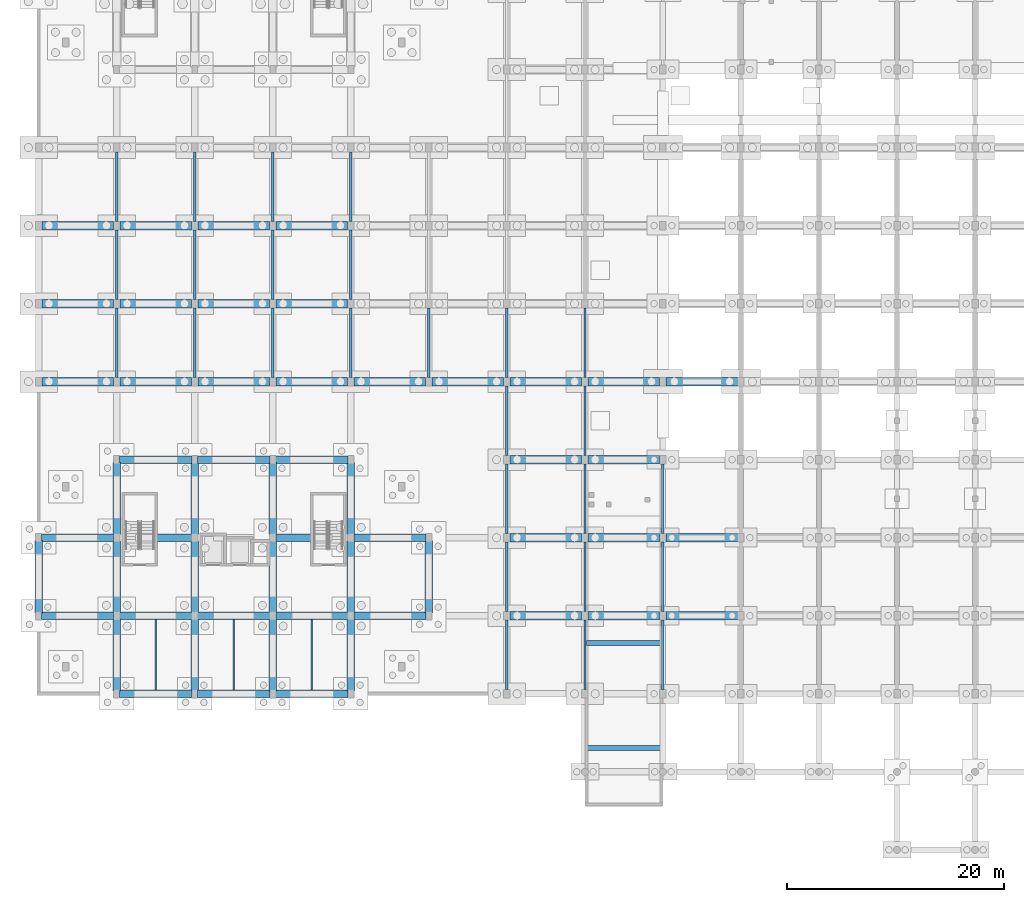
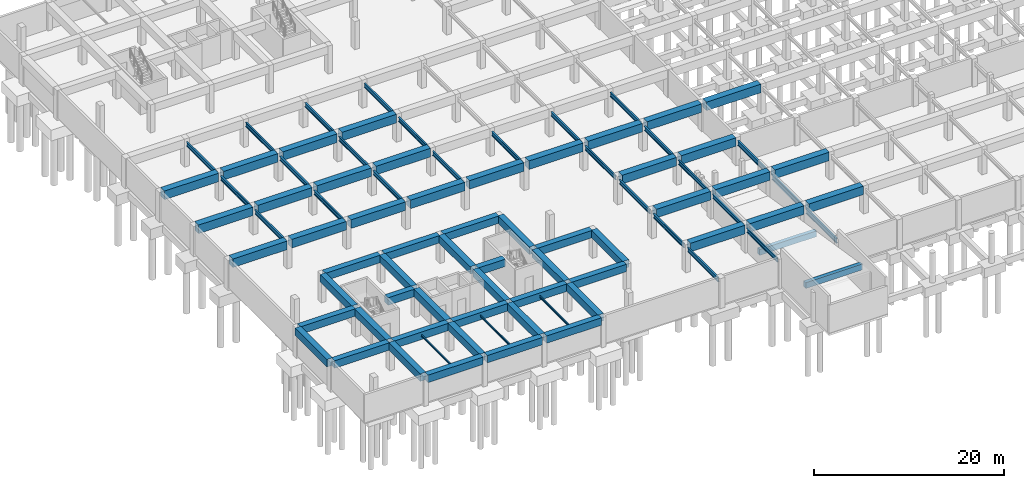
# One storey, part 18 of 36: 85 beams.
"""IFC4 building model written with IfcOpenShell, lengths in metres."""

import ifcopenshell
import ifcopenshell.guid

model = None  # the IFC model being written
_history = None  # IfcOwnerHistory: only IFC2X3 demands one
_inside = {}  # id of a spatial element -> (the spatial element, [elements in it])
_under = {}  # id of a project, library or spatial element -> (it, [spatial elements below it])
_declared = {}  # id of a project -> (the project, [libraries it declares])
_typed = {}  # id of a type object -> (the type object, [elements of that type])
_made_of = {}  # id of a material, layer set ... -> (it, [elements and type objects made of it])


def new_model(schema):
    """Start an empty IFC model of exactly this schema.

    Asked for "IFC4X3", IfcOpenShell would pick the latest addendum, in which some entities
    have other attributes; the version numbers below select the first issue.
    IFC2X3 requires an IfcOwnerHistory on every rooted entity: one is made here for all.
    """
    global model, _history
    if schema == "IFC4X3":
        model = ifcopenshell.file(schema_version=(4, 3, 0, 0))
    else:
        model = ifcopenshell.file(schema=schema)
    _inside.clear()
    _under.clear()
    _declared.clear()
    _typed.clear()
    _made_of.clear()
    _history = None
    if model.schema == "IFC2X3":
        org = make("IfcOrganization", Name="unknown")
        user = make(
            "IfcPersonAndOrganization",
            ThePerson=make("IfcPerson", FamilyName="unknown"),
            TheOrganization=org,
        )
        app = make(
            "IfcApplication",
            ApplicationDeveloper=org,
            Version="unknown",
            ApplicationFullName="unknown",
            ApplicationIdentifier="unknown",
        )
        _history = make(
            "IfcOwnerHistory",
            OwningUser=user,
            OwningApplication=app,
            ChangeAction="ADDED",
            CreationDate=0,
        )
    return model


def make(cls, **values):
    """One entity of the class cls with the attributes given. An attribute that is None is left unset."""
    return model.create_entity(
        cls, **{name: value for name, value in values.items() if value is not None}
    )


def rooted(cls, **values):
    """An entity with a GlobalId (a new one), such as an element, a storey or a relation."""
    return make(cls, GlobalId=ifcopenshell.guid.new(), OwnerHistory=_history, **values)


def si_unit(unit_type, name, prefix=None):
    """IfcSIUnit, for example si_unit("LENGTHUNIT", "METRE", prefix="MILLI")."""
    return make("IfcSIUnit", UnitType=unit_type, Prefix=prefix, Name=name)


def assignment(units):
    """IfcUnitAssignment: the units of a project."""
    return None if units is None else make("IfcUnitAssignment", Units=units)


def point(xyz):
    """IfcCartesianPoint."""
    return None if xyz is None else make("IfcCartesianPoint", Coordinates=xyz)


def direction(xyz):
    """IfcDirection."""
    return None if xyz is None else make("IfcDirection", DirectionRatios=xyz)


def frame(location, z_axis=None, x_axis=None):
    """IfcAxis2Placement3D, a coordinate frame: its origin and axes. An axis left out is left unset."""
    return make(
        "IfcAxis2Placement3D",
        Location=point(location),
        Axis=direction(z_axis),
        RefDirection=direction(x_axis),
    )


def frame_2d(location, x_axis=None):
    """IfcAxis2Placement2D, a coordinate frame in the plane: its origin and x axis."""
    return make(
        "IfcAxis2Placement2D", Location=point(location), RefDirection=direction(x_axis)
    )


def origin():
    """The frame at (0, 0, 0) with its axes left unset."""
    return frame((0.0, 0.0, 0.0))


def origin_2d():
    """The frame at (0, 0) in the plane with its x axis left unset."""
    return frame_2d((0.0, 0.0))


def place(relative_to, where):
    """IfcLocalPlacement: puts the frame where relative to a parent placement (None: the world)."""
    return make(
        "IfcLocalPlacement", PlacementRelTo=relative_to, RelativePlacement=where
    )


def context(
    kind, dimensions, precision=None, world=None, true_north=None, identifier=None
):
    """IfcGeometricRepresentationContext, for example the 3D "Model" context."""
    return make(
        "IfcGeometricRepresentationContext",
        ContextIdentifier=identifier,
        ContextType=kind,
        CoordinateSpaceDimension=dimensions,
        Precision=precision,
        WorldCoordinateSystem=world,
        TrueNorth=true_north,
    )


def subcontext(parent, identifier, kind, view, scale=None):
    """IfcGeometricRepresentationSubContext, for example "Body" below "Model"."""
    return make(
        "IfcGeometricRepresentationSubContext",
        ContextIdentifier=identifier,
        ContextType=kind,
        ParentContext=parent,
        TargetScale=scale,
        TargetView=view,
    )


def project(units=None, contexts=None):
    """IfcProject with its units and contexts."""
    return rooted(
        "IfcProject",
        Name="project",
        RepresentationContexts=contexts,
        UnitsInContext=assignment(units),
    )


def spatial(cls, under=None, at=None, **own):
    """A site, building, storey or space (cls), placed at a placement, below another one or the project."""
    s = rooted(cls, ObjectPlacement=at, **own)
    if under is not None:
        _under.setdefault(under.id(), (under, []))[1].append(s)
    return s


def profile(cls, at=None, kind="AREA", **sizes):
    """A parametric profile (cls). Its sizes go by their IFC names, for example OverallWidth=200.0."""
    return make(cls, ProfileType=kind, Position=at, **sizes)


def rectangle(**sizes):
    """IfcRectangleProfileDef."""
    return profile("IfcRectangleProfileDef", **sizes)


def i_section(**sizes):
    """IfcIShapeProfileDef."""
    return profile("IfcIShapeProfileDef", **sizes)


def extrude(swept, where, along, depth):
    """IfcExtrudedAreaSolid: the profile swept, set in the frame where, extruded along a direction by depth."""
    return make(
        "IfcExtrudedAreaSolid",
        SweptArea=swept,
        Position=where,
        ExtrudedDirection=direction(along),
        Depth=depth,
    )


def shape(context_of_items, identifier, shape_type, items):
    """IfcShapeRepresentation: the items that make up one representation, for example the "Body"."""
    return make(
        "IfcShapeRepresentation",
        ContextOfItems=context_of_items,
        RepresentationIdentifier=identifier,
        RepresentationType=shape_type,
        Items=items,
    )


def material(Name=None, Category=None):
    """IfcMaterial."""
    return make("IfcMaterial", Name=Name, Category=Category)


def material_profile(
    of_material, cross_section, Name=None, Category=None, Priority=None
):
    """IfcMaterialProfile: a cross section and its material."""
    return make(
        "IfcMaterialProfile",
        Name=Name,
        Material=of_material,
        Profile=cross_section,
        Priority=Priority,
        Category=Category,
    )


def profile_set(profiles, Name=None, composite=None):
    """IfcMaterialProfileSet."""
    return make(
        "IfcMaterialProfileSet",
        Name=Name,
        MaterialProfiles=profiles,
        CompositeProfile=composite,
    )


def made_of(thing, what):
    """Note that an element or type object is made of a material, layer set ...; save() writes the relation."""
    if what is not None:
        _made_of.setdefault(what.id(), (what, []))[1].append(thing)
    return thing


def type_object(cls, material=None, **own):
    """A type object (cls), such as IfcWallType, which elements share."""
    return made_of(rooted(cls, **own), material)


def element(
    cls,
    number,
    at=None,
    inside=None,
    cuts=None,
    type_object=None,
    material=None,
    context=None,
    identifier="Body",
    shape_type=None,
    held_by="IfcProductDefinitionShape",
    body=None,
    shapes=None,
    **own,
):
    """One element of the class cls, such as IfcWall. Its Tag is "e" and its number.

    at: its placement. inside: the storey or other place that contains it. cuts: it is an
    opening in that element (IfcRelVoidsElement). A single representation is given by context,
    identifier, shape_type and body (its items); several are given by shapes. held_by: the class
    of the entity that holds the representations. save() writes the other relations.
    """
    e = rooted(cls, Tag="e%d" % number, ObjectPlacement=at, **own)
    if body is not None:
        shapes = [shape(context, identifier, shape_type, body)]
    if shapes is not None:
        e.Representation = make(held_by, Representations=shapes)
    if inside is not None:
        _inside.setdefault(inside.id(), (inside, []))[1].append(e)
    if cuts is not None:
        rooted(
            "IfcRelVoidsElement", RelatingBuildingElement=cuts, RelatedOpeningElement=e
        )
    if type_object is not None:
        _typed.setdefault(type_object.id(), (type_object, []))[1].append(e)
    return made_of(e, material)


def aggregate(whole, parts):
    """IfcRelAggregates: a whole, such as a stair, and the parts it consists of."""
    return rooted("IfcRelAggregates", RelatingObject=whole, RelatedObjects=parts)


def save(model, path):
    """Write the relations noted so far, then the file.

    IfcRelAggregates (storeys below a building ...), IfcRelContainedInSpatialStructure (elements
    in a storey), IfcRelDefinesByType, IfcRelAssociatesMaterial and IfcRelDeclares: one each for
    every whole, place, type object, material and project.
    """
    for whole, parts in _under.values():
        aggregate(whole, parts)
    for where, things in _inside.values():
        rooted(
            "IfcRelContainedInSpatialStructure",
            RelatedElements=things,
            RelatingStructure=where,
        )
    for kind, things in _typed.values():
        rooted("IfcRelDefinesByType", RelatedObjects=things, RelatingType=kind)
    for what, things in _made_of.values():
        rooted("IfcRelAssociatesMaterial", RelatedObjects=things, RelatingMaterial=what)
    for by, libraries in _declared.values():
        rooted("IfcRelDeclares", RelatingContext=by, RelatedDefinitions=libraries)
    model.write(path)


model = new_model("IFC4")

# Units and contexts
model_context = context("Model", 3, precision=1e-05, world=origin(), true_north=direction((0.0, 1.0)))
body_context = subcontext(model_context, "Body", "Model", "MODEL_VIEW")
ifc_project = project(units=[si_unit("LENGTHUNIT", "METRE"), si_unit("AREAUNIT", "SQUARE_METRE"), si_unit("VOLUMEUNIT", "CUBIC_METRE"), si_unit("PLANEANGLEUNIT", "RADIAN"), si_unit("MASSUNIT", "GRAM", prefix="KILO")], contexts=[model_context])

# Site, building, storey
site_placement = place(None, origin())
site = spatial("IfcSite", under=ifc_project, at=site_placement, CompositionType="ELEMENT")
building_placement = place(site_placement, origin())
building = spatial("IfcBuilding", under=site, at=building_placement, Name="Ochrevale Crest", CompositionType="ELEMENT")
storey_placement = place(building_placement, frame((0.0, 0.0, -3.60009765625)))
storey = spatial("IfcBuildingStorey", under=building, at=storey_placement, Name="B1", CompositionType="ELEMENT", Elevation=-3.60009765625)

# Beams
ifc_material_1 = material(Name="Concrete C50/60", Category="concrete")
ifc_material_profile_1 = material_profile(ifc_material_1, rectangle(XDim=0.449951171875, YDim=0.75, at=origin_2d()), Name="RC 450x750")
ifc_profile_set_1 = profile_set([ifc_material_profile_1], Name="Concrete C50/60")
beam_type_1 = type_object("IfcBeamType", Name="BM-PG450x750", PredefinedType="USERDEFINED", material=ifc_profile_set_1)
for number, where, z_axis, x_axis, name in (
    (1, (50.550048828125, 19.10009765625, 1.35009765625), (1.0, 0.0, 0.0), (0.0, 1.0, 0.0), "Vehicle ramp mid-span support beam"),
    (2, (50.550048828125, 9.39990234375, 2.97509765625), (1.0, 0.0, 0.0), (0.0, 1.0, 0.0), "Vehicle ramp upper transition support beam"),
):
    element("IfcBeam", number, at=place(storey_placement, frame(where, z_axis=z_axis, x_axis=x_axis)), inside=storey, type_object=beam_type_1, Name=name, ObjectType="GIRDER", PredefinedType="USERDEFINED", context=body_context, shape_type="SweptSolid", body=[
        extrude(rectangle(XDim=0.449951171875, YDim=0.75, at=origin_2d()), origin(), (0.0, 0.0, 1.0), 6.89990234375),
    ])
ifc_material_profile_2 = material_profile(ifc_material_1, rectangle(XDim=0.699951171875, YDim=0.949951171875, at=origin_2d()), Name="RC 700x950")
ifc_profile_set_2 = profile_set([ifc_material_profile_2], Name="Concrete C50/60")
beam_type_2 = type_object("IfcBeamType", Name="BM-TG700x950", PredefinedType="USERDEFINED", material=ifc_profile_set_2)
beam_1_placement = place(storey_placement, frame((7.449951171875, 14.39990234375, 3.125), z_axis=(1.0, 0.0, 0.0), x_axis=(0.0, 1.0, 0.0)))
element("IfcBeam", 3, at=beam_1_placement, inside=storey, type_object=beam_type_2, Name="Block A B1 E-W beam Y=14.4", ObjectType="GIRDER", PredefinedType="USERDEFINED", context=body_context, shape_type="SweptSolid", body=[
    extrude(rectangle(XDim=0.699951171875, YDim=0.949951171875, at=origin_2d()), origin(), (0.0, 0.0, 1.0), 6.699951171875),
])
beam_2_placement = place(storey_placement, frame((14.64990234375, 14.39990234375, 3.125), z_axis=(1.0, 0.0, 0.0), x_axis=(0.0, 1.0, 0.0)))
element("IfcBeam", 4, at=beam_2_placement, inside=storey, type_object=beam_type_2, Name="Block A B1 E-W beam Y=14.4", ObjectType="GIRDER", PredefinedType="USERDEFINED", context=body_context, shape_type="SweptSolid", body=[
    extrude(rectangle(XDim=0.699951171875, YDim=0.949951171875, at=origin_2d()), origin(), (0.0, 0.0, 1.0), 6.7001953125),
])
beam_3_placement = place(storey_placement, frame((21.85009765625, 14.39990234375, 3.125), z_axis=(1.0, 0.0, 0.0), x_axis=(0.0, 1.0, 0.0)))
element("IfcBeam", 5, at=beam_3_placement, inside=storey, type_object=beam_type_2, Name="Block A B1 E-W beam Y=14.4", ObjectType="GIRDER", PredefinedType="USERDEFINED", context=body_context, shape_type="SweptSolid", body=[
    extrude(rectangle(XDim=0.699951171875, YDim=0.949951171875, at=origin_2d()), origin(), (0.0, 0.0, 1.0), 6.699951171875),
])
beam_4_placement = place(storey_placement, frame((0.25, 21.60009765625, 3.125), z_axis=(1.0, 0.0, 0.0), x_axis=(0.0, 1.0, 0.0)))
element("IfcBeam", 6, at=beam_4_placement, inside=storey, type_object=beam_type_2, Name="Block A B1 E-W beam Y=21.6", ObjectType="GIRDER", PredefinedType="USERDEFINED", context=body_context, shape_type="SweptSolid", body=[
    extrude(rectangle(XDim=0.699951171875, YDim=0.949951171875, at=origin_2d()), origin(), (0.0, 0.0, 1.0), 6.675048828125),
])
for number, where, z_axis, x_axis, name in (
    (7, (7.47509765625, 21.60009765625, 3.125), (1.0, 0.0, 0.0), (0.0, 1.0, 0.0), "Block A B1 E-W beam Y=21.6"),
    (8, (14.675048828125, 21.60009765625, 3.125), (1.0, 0.0, 0.0), (0.0, 1.0, 0.0), "Block A B1 E-W beam Y=21.6"),
    (9, (21.875, 21.60009765625, 3.125), (1.0, 0.0, 0.0), (0.0, 1.0, 0.0), "Block A B1 E-W beam Y=21.6"),
):
    element("IfcBeam", number, at=place(storey_placement, frame(where, z_axis=z_axis, x_axis=x_axis)), inside=storey, type_object=beam_type_2, Name=name, ObjectType="GIRDER", PredefinedType="USERDEFINED", context=body_context, shape_type="SweptSolid", body=[
        extrude(rectangle(XDim=0.699951171875, YDim=0.949951171875, at=origin_2d()), origin(), (0.0, 0.0, 1.0), 6.64990234375),
    ])
for number, where, z_axis, x_axis, name in (
    (10, (29.074951171875, 21.60009765625, 3.125), (1.0, 0.0, 0.0), (0.0, 1.0, 0.0), "Block A B1 E-W beam Y=21.6"),
    (11, (0.25, 28.800048828125, 3.125), (1.0, 0.0, 0.0), (0.0, 1.0, 0.0), "Block A B1 E-W beam Y=28.8"),
):
    element("IfcBeam", number, at=place(storey_placement, frame(where, z_axis=z_axis, x_axis=x_axis)), inside=storey, type_object=beam_type_2, Name=name, ObjectType="GIRDER", PredefinedType="USERDEFINED", context=body_context, shape_type="SweptSolid", body=[
        extrude(rectangle(XDim=0.699951171875, YDim=0.949951171875, at=origin_2d()), origin(), (0.0, 0.0, 1.0), 6.675048828125),
    ])
beam_5_placement = place(storey_placement, frame((10.889892578125, 28.800048828125, 3.125), z_axis=(1.0, 0.0, 0.0), x_axis=(0.0, 1.0, 0.0)))
element("IfcBeam", 12, at=beam_5_placement, inside=storey, type_object=beam_type_2, Name="Block A B1 E-W beam Y=28.8", ObjectType="GIRDER", PredefinedType="USERDEFINED", context=body_context, shape_type="SweptSolid", body=[
    extrude(rectangle(XDim=0.699951171875, YDim=0.949951171875, at=origin_2d()), origin(), (0.0, 0.0, 1.0), 3.235107421875),
])
beam_6_placement = place(storey_placement, frame((21.875, 28.800048828125, 3.125), z_axis=(1.0, 0.0, 0.0), x_axis=(0.0, 1.0, 0.0)))
element("IfcBeam", 13, at=beam_6_placement, inside=storey, type_object=beam_type_2, Name="Block A B1 E-W beam Y=28.8", ObjectType="GIRDER", PredefinedType="USERDEFINED", context=body_context, shape_type="SweptSolid", body=[
    extrude(rectangle(XDim=0.699951171875, YDim=0.949951171875, at=origin_2d()), origin(), (0.0, 0.0, 1.0), 3.284912109375),
])
beam_7_placement = place(storey_placement, frame((29.074951171875, 28.800048828125, 3.125), z_axis=(1.0, 0.0, 0.0), x_axis=(0.0, 1.0, 0.0)))
element("IfcBeam", 14, at=beam_7_placement, inside=storey, type_object=beam_type_2, Name="Block A B1 E-W beam Y=28.8", ObjectType="GIRDER", PredefinedType="USERDEFINED", context=body_context, shape_type="SweptSolid", body=[
    extrude(rectangle(XDim=0.699951171875, YDim=0.949951171875, at=origin_2d()), origin(), (0.0, 0.0, 1.0), 6.675048828125),
])
beam_8_placement = place(storey_placement, frame((7.449951171875, 36.0, 3.125), z_axis=(1.0, 0.0, 0.0), x_axis=(0.0, 1.0, 0.0)))
element("IfcBeam", 15, at=beam_8_placement, inside=storey, type_object=beam_type_2, Name="Block A B1 E-W beam Y=36.0", ObjectType="GIRDER", PredefinedType="USERDEFINED", context=body_context, shape_type="SweptSolid", body=[
    extrude(rectangle(XDim=0.699951171875, YDim=0.949951171875, at=origin_2d()), origin(), (0.0, 0.0, 1.0), 6.699951171875),
])
beam_9_placement = place(storey_placement, frame((14.64990234375, 36.0, 3.125), z_axis=(1.0, 0.0, 0.0), x_axis=(0.0, 1.0, 0.0)))
element("IfcBeam", 16, at=beam_9_placement, inside=storey, type_object=beam_type_2, Name="Block A B1 E-W beam Y=36.0", ObjectType="GIRDER", PredefinedType="USERDEFINED", context=body_context, shape_type="SweptSolid", body=[
    extrude(rectangle(XDim=0.699951171875, YDim=0.949951171875, at=origin_2d()), origin(), (0.0, 0.0, 1.0), 6.7001953125),
])
beam_10_placement = place(storey_placement, frame((21.85009765625, 36.0, 3.125), z_axis=(1.0, 0.0, 0.0), x_axis=(0.0, 1.0, 0.0)))
element("IfcBeam", 17, at=beam_10_placement, inside=storey, type_object=beam_type_2, Name="Block A B1 E-W beam Y=36.0", ObjectType="GIRDER", PredefinedType="USERDEFINED", context=body_context, shape_type="SweptSolid", body=[
    extrude(rectangle(XDim=0.699951171875, YDim=0.949951171875, at=origin_2d()), origin(), (0.0, 0.0, 1.0), 6.699951171875),
])
beam_11_placement = place(storey_placement, frame((0.0, 21.85498046875, 3.125), z_axis=(0.0, 1.0, 0.0), x_axis=(-1.0, 0.0, 0.0)))
element("IfcBeam", 18, at=beam_11_placement, inside=storey, type_object=beam_type_2, Name="Block A B1 N-S beam X=0.0", ObjectType="GIRDER", PredefinedType="USERDEFINED", context=body_context, shape_type="SweptSolid", body=[
    extrude(rectangle(XDim=0.699951171875, YDim=0.949951171875, at=origin_2d()), origin(), (0.0, 0.0, 1.0), 6.68994140625),
])
beam_12_placement = place(storey_placement, frame((7.199951171875, 14.655029296875, 3.125), z_axis=(0.0, 1.0, 0.0), x_axis=(-1.0, 0.0, 0.0)))
element("IfcBeam", 19, at=beam_12_placement, inside=storey, type_object=beam_type_2, Name="Block A B1 N-S beam X=7.2", ObjectType="GIRDER", PredefinedType="USERDEFINED", context=body_context, shape_type="SweptSolid", body=[
    extrude(rectangle(XDim=0.699951171875, YDim=0.949951171875, at=origin_2d()), origin(), (0.0, 0.0, 1.0), 6.6650390625),
])
beam_13_placement = place(storey_placement, frame((7.199951171875, 21.8798828125, 3.125), z_axis=(0.0, 1.0, 0.0), x_axis=(-1.0, 0.0, 0.0)))
element("IfcBeam", 20, at=beam_13_placement, inside=storey, type_object=beam_type_2, Name="Block A B1 N-S beam X=7.2", ObjectType="GIRDER", PredefinedType="USERDEFINED", context=body_context, shape_type="SweptSolid", body=[
    extrude(rectangle(XDim=0.699951171875, YDim=0.949951171875, at=origin_2d()), origin(), (0.0, 0.0, 1.0), 6.64013671875),
])
for number, where, z_axis, x_axis, name in (
    (21, (7.199951171875, 29.080078125, 3.125), (0.0, 1.0, 0.0), (-1.0, 0.0, 0.0), "Block A B1 N-S beam X=7.2"),
    (22, (14.39990234375, 14.655029296875, 3.125), (0.0, 1.0, 0.0), (-1.0, 0.0, 0.0), "Block A B1 N-S beam X=14.4"),
):
    element("IfcBeam", number, at=place(storey_placement, frame(where, z_axis=z_axis, x_axis=x_axis)), inside=storey, type_object=beam_type_2, Name=name, ObjectType="GIRDER", PredefinedType="USERDEFINED", context=body_context, shape_type="SweptSolid", body=[
        extrude(rectangle(XDim=0.699951171875, YDim=0.949951171875, at=origin_2d()), origin(), (0.0, 0.0, 1.0), 6.6650390625),
    ])
beam_14_placement = place(storey_placement, frame((14.39990234375, 21.8798828125, 3.125), z_axis=(0.0, 1.0, 0.0), x_axis=(-1.0, 0.0, 0.0)))
element("IfcBeam", 23, at=beam_14_placement, inside=storey, type_object=beam_type_2, Name="Block A B1 N-S beam X=14.4", ObjectType="GIRDER", PredefinedType="USERDEFINED", context=body_context, shape_type="SweptSolid", body=[
    extrude(rectangle(XDim=0.699951171875, YDim=0.949951171875, at=origin_2d()), origin(), (0.0, 0.0, 1.0), 6.64013671875),
])
for number, where, z_axis, x_axis, name in (
    (24, (14.39990234375, 29.080078125, 3.125), (0.0, 1.0, 0.0), (-1.0, 0.0, 0.0), "Block A B1 N-S beam X=14.4"),
    (25, (21.60009765625, 14.655029296875, 3.125), (0.0, 1.0, 0.0), (-1.0, 0.0, 0.0), "Block A B1 N-S beam X=21.6"),
):
    element("IfcBeam", number, at=place(storey_placement, frame(where, z_axis=z_axis, x_axis=x_axis)), inside=storey, type_object=beam_type_2, Name=name, ObjectType="GIRDER", PredefinedType="USERDEFINED", context=body_context, shape_type="SweptSolid", body=[
        extrude(rectangle(XDim=0.699951171875, YDim=0.949951171875, at=origin_2d()), origin(), (0.0, 0.0, 1.0), 6.6650390625),
    ])
beam_15_placement = place(storey_placement, frame((21.60009765625, 21.8798828125, 3.125), z_axis=(0.0, 1.0, 0.0), x_axis=(-1.0, 0.0, 0.0)))
element("IfcBeam", 26, at=beam_15_placement, inside=storey, type_object=beam_type_2, Name="Block A B1 N-S beam X=21.6", ObjectType="GIRDER", PredefinedType="USERDEFINED", context=body_context, shape_type="SweptSolid", body=[
    extrude(rectangle(XDim=0.699951171875, YDim=0.949951171875, at=origin_2d()), origin(), (0.0, 0.0, 1.0), 6.64013671875),
])
for number, where, z_axis, x_axis, name in (
    (27, (21.60009765625, 29.080078125, 3.125), (0.0, 1.0, 0.0), (-1.0, 0.0, 0.0), "Block A B1 N-S beam X=21.6"),
    (28, (28.800048828125, 14.655029296875, 3.125), (0.0, 1.0, 0.0), (-1.0, 0.0, 0.0), "Block A B1 N-S beam X=28.8"),
):
    element("IfcBeam", number, at=place(storey_placement, frame(where, z_axis=z_axis, x_axis=x_axis)), inside=storey, type_object=beam_type_2, Name=name, ObjectType="GIRDER", PredefinedType="USERDEFINED", context=body_context, shape_type="SweptSolid", body=[
        extrude(rectangle(XDim=0.699951171875, YDim=0.949951171875, at=origin_2d()), origin(), (0.0, 0.0, 1.0), 6.6650390625),
    ])
beam_16_placement = place(storey_placement, frame((28.800048828125, 21.8798828125, 3.125), z_axis=(0.0, 1.0, 0.0), x_axis=(-1.0, 0.0, 0.0)))
element("IfcBeam", 29, at=beam_16_placement, inside=storey, type_object=beam_type_2, Name="Block A B1 N-S beam X=28.8", ObjectType="GIRDER", PredefinedType="USERDEFINED", context=body_context, shape_type="SweptSolid", body=[
    extrude(rectangle(XDim=0.699951171875, YDim=0.949951171875, at=origin_2d()), origin(), (0.0, 0.0, 1.0), 6.64013671875),
])
beam_17_placement = place(storey_placement, frame((28.800048828125, 29.080078125, 3.125), z_axis=(0.0, 1.0, 0.0), x_axis=(-1.0, 0.0, 0.0)))
element("IfcBeam", 30, at=beam_17_placement, inside=storey, type_object=beam_type_2, Name="Block A B1 N-S beam X=28.8", ObjectType="GIRDER", PredefinedType="USERDEFINED", context=body_context, shape_type="SweptSolid", body=[
    extrude(rectangle(XDim=0.699951171875, YDim=0.949951171875, at=origin_2d()), origin(), (0.0, 0.0, 1.0), 6.6650390625),
])
beam_18_placement = place(storey_placement, frame((36.0, 21.85498046875, 3.125), z_axis=(0.0, 1.0, 0.0), x_axis=(-1.0, 0.0, 0.0)))
element("IfcBeam", 31, at=beam_18_placement, inside=storey, type_object=beam_type_2, Name="Block A B1 N-S beam X=36.0", ObjectType="GIRDER", PredefinedType="USERDEFINED", context=body_context, shape_type="SweptSolid", body=[
    extrude(rectangle(XDim=0.699951171875, YDim=0.949951171875, at=origin_2d()), origin(), (0.0, 0.0, 1.0), 6.68994140625),
])
ifc_material_profile_3 = material_profile(ifc_material_1, rectangle(XDim=0.800048828125, YDim=1.10009765625, at=origin_2d()), Name="RC 800x1100")
ifc_profile_set_3 = profile_set([ifc_material_profile_3], Name="Concrete C50/60")
beam_type_3 = type_object("IfcBeamType", Name="BM-TG800x1100", PredefinedType="USERDEFINED", material=ifc_profile_set_3)
for number, where, z_axis, x_axis, name in (
    (32, (0.294921875, 43.199951171875, 3.050048828125), (1.0, 0.0, 0.0), (0.0, 1.0, 0.0), "B1 podium primary girder (0.0,43.2)"),
    (33, (0.294921875, 50.39990234375, 3.050048828125), (1.0, 0.0, 0.0), (0.0, 1.0, 0.0), "B1 podium primary girder (0.0,50.4)"),
    (34, (0.294921875, 57.60009765625, 3.050048828125), (1.0, 0.0, 0.0), (0.0, 1.0, 0.0), "B1 podium primary girder (0.0,57.6)"),
):
    element("IfcBeam", number, at=place(storey_placement, frame(where, z_axis=z_axis, x_axis=x_axis)), inside=storey, type_object=beam_type_3, Name=name, ObjectType="GIRDER", PredefinedType="USERDEFINED", context=body_context, shape_type="SweptSolid", body=[
        extrude(rectangle(XDim=0.800048828125, YDim=1.10009765625, at=origin_2d()), origin(), (0.0, 0.0, 1.0), 6.610107421875),
    ])
for number, where, z_axis, x_axis, name in (
    (35, (7.4951171875, 43.199951171875, 3.050048828125), (1.0, 0.0, 0.0), (0.0, 1.0, 0.0), "B1 podium primary girder (7.2,43.2)"),
    (36, (7.4951171875, 50.39990234375, 3.050048828125), (1.0, 0.0, 0.0), (0.0, 1.0, 0.0), "B1 podium primary girder (7.2,50.4)"),
    (37, (7.4951171875, 57.60009765625, 3.050048828125), (1.0, 0.0, 0.0), (0.0, 1.0, 0.0), "B1 podium primary girder (7.2,57.6)"),
    (38, (14.695068359375, 43.199951171875, 3.050048828125), (1.0, 0.0, 0.0), (0.0, 1.0, 0.0), "B1 podium primary girder (14.4,43.2)"),
    (39, (14.695068359375, 50.39990234375, 3.050048828125), (1.0, 0.0, 0.0), (0.0, 1.0, 0.0), "B1 podium primary girder (14.4,50.4)"),
    (40, (14.695068359375, 57.60009765625, 3.050048828125), (1.0, 0.0, 0.0), (0.0, 1.0, 0.0), "B1 podium primary girder (14.4,57.6)"),
    (41, (21.89501953125, 43.199951171875, 3.050048828125), (1.0, 0.0, 0.0), (0.0, 1.0, 0.0), "B1 podium primary girder (21.6,43.2)"),
    (42, (21.89501953125, 50.39990234375, 3.050048828125), (1.0, 0.0, 0.0), (0.0, 1.0, 0.0), "B1 podium primary girder (21.6,50.4)"),
    (43, (21.89501953125, 57.60009765625, 3.050048828125), (1.0, 0.0, 0.0), (0.0, 1.0, 0.0), "B1 podium primary girder (21.6,57.6)"),
):
    element("IfcBeam", number, at=place(storey_placement, frame(where, z_axis=z_axis, x_axis=x_axis)), inside=storey, type_object=beam_type_3, Name=name, ObjectType="GIRDER", PredefinedType="USERDEFINED", context=body_context, shape_type="SweptSolid", body=[
        extrude(rectangle(XDim=0.800048828125, YDim=1.10009765625, at=origin_2d()), origin(), (0.0, 0.0, 1.0), 6.60986328125),
    ])
for number, where, z_axis, x_axis, name in (
    (44, (29.094970703125, 43.199951171875, 3.050048828125), (1.0, 0.0, 0.0), (0.0, 1.0, 0.0), "B1 podium primary girder (28.8,43.2)"),
    (45, (36.294921875, 43.199951171875, 3.050048828125), (1.0, 0.0, 0.0), (0.0, 1.0, 0.0), "B1 podium primary girder (36.0,43.2)"),
):
    element("IfcBeam", number, at=place(storey_placement, frame(where, z_axis=z_axis, x_axis=x_axis)), inside=storey, type_object=beam_type_3, Name=name, ObjectType="GIRDER", PredefinedType="USERDEFINED", context=body_context, shape_type="SweptSolid", body=[
        extrude(rectangle(XDim=0.800048828125, YDim=1.10009765625, at=origin_2d()), origin(), (0.0, 0.0, 1.0), 6.610107421875),
    ])
for number, where, z_axis, x_axis, name in (
    (46, (43.4951171875, 21.60009765625, 3.050048828125), (1.0, 0.0, 0.0), (0.0, 1.0, 0.0), "B1 podium primary girder (43.2,21.6)"),
    (47, (43.4951171875, 28.800048828125, 3.050048828125), (1.0, 0.0, 0.0), (0.0, 1.0, 0.0), "B1 podium primary girder (43.2,28.8)"),
    (48, (43.4951171875, 36.0, 3.050048828125), (1.0, 0.0, 0.0), (0.0, 1.0, 0.0), "B1 podium primary girder (43.2,36.0)"),
    (49, (43.4951171875, 43.199951171875, 3.050048828125), (1.0, 0.0, 0.0), (0.0, 1.0, 0.0), "B1 podium primary girder (43.2,43.2)"),
    (50, (50.695068359375, 21.60009765625, 3.050048828125), (1.0, 0.0, 0.0), (0.0, 1.0, 0.0), "B1 podium primary girder (50.4,21.6)"),
    (51, (50.695068359375, 28.800048828125, 3.050048828125), (1.0, 0.0, 0.0), (0.0, 1.0, 0.0), "B1 podium primary girder (50.4,28.8)"),
    (52, (50.695068359375, 36.0, 3.050048828125), (1.0, 0.0, 0.0), (0.0, 1.0, 0.0), "B1 podium primary girder (50.4,36.0)"),
    (53, (50.695068359375, 43.199951171875, 3.050048828125), (1.0, 0.0, 0.0), (0.0, 1.0, 0.0), "B1 podium primary girder (50.4,43.2)"),
    (54, (57.89501953125, 21.60009765625, 3.050048828125), (1.0, 0.0, 0.0), (0.0, 1.0, 0.0), "B1 podium primary girder (57.6,21.6)"),
    (55, (57.89501953125, 28.800048828125, 3.050048828125), (1.0, 0.0, 0.0), (0.0, 1.0, 0.0), "B1 podium primary girder (57.6,28.8)"),
    (56, (57.89501953125, 43.199951171875, 3.050048828125), (1.0, 0.0, 0.0), (0.0, 1.0, 0.0), "B1 podium primary girder (57.6,43.2)"),
):
    element("IfcBeam", number, at=place(storey_placement, frame(where, z_axis=z_axis, x_axis=x_axis)), inside=storey, type_object=beam_type_3, Name=name, ObjectType="GIRDER", PredefinedType="USERDEFINED", context=body_context, shape_type="SweptSolid", body=[
        extrude(rectangle(XDim=0.800048828125, YDim=1.10009765625, at=origin_2d()), origin(), (0.0, 0.0, 1.0), 6.60986328125),
    ])
ifc_material_2 = material(Name="Steel S355", Category="steel")
ifc_material_profile_4 = material_profile(ifc_material_2, i_section(OverallWidth=0.13330078125, OverallDepth=0.203125, WebThickness=0.005859375, FlangeThickness=0.0078125, FilletRadius=0.0087890625, at=origin_2d()), Name="200UB25.4")
ifc_profile_set_4 = profile_set([ifc_material_profile_4], Name="Steel S355")
beam_type_4 = type_object("IfcBeamType", Name="BM-UB200A", PredefinedType="JOIST", material=ifc_profile_set_4)
beam_19_placement = place(storey_placement, frame((10.800048828125, 14.738037109375, 3.173583984375), z_axis=(0.0, 1.0, 0.0), x_axis=(-1.0, 0.0, 0.0)))
element("IfcBeam", 57, at=beam_19_placement, inside=storey, type_object=beam_type_4, Name="Block A B1 composite plank trimmer beam 2", PredefinedType="JOIST", context=body_context, shape_type="SweptSolid", body=[
    extrude(i_section(OverallWidth=0.13330078125, OverallDepth=0.203125, WebThickness=0.005859375, FlangeThickness=0.0078125, FilletRadius=0.0087890625, at=origin_2d()), origin(), (0.0, 0.0, 1.0), 6.52392578125),
])
ifc_material_profile_5 = material_profile(ifc_material_2, i_section(OverallWidth=0.134033203125, OverallDepth=0.20703125, WebThickness=0.00634765625, FlangeThickness=0.009521484375, FilletRadius=0.0087890625, at=origin_2d()), Name="200UB29.8")
ifc_profile_set_5 = profile_set([ifc_material_profile_5], Name="Steel S355")
beam_type_5 = type_object("IfcBeamType", Name="BM-UB200B", PredefinedType="JOIST", material=ifc_profile_set_5)
beam_20_placement = place(storey_placement, frame((18.0, 14.738037109375, 3.171630859375), z_axis=(0.0, 1.0, 0.0), x_axis=(-1.0, 0.0, 0.0)))
element("IfcBeam", 58, at=beam_20_placement, inside=storey, type_object=beam_type_5, Name="Block A B1 composite plank trimmer beam 3", PredefinedType="JOIST", context=body_context, shape_type="SweptSolid", body=[
    extrude(i_section(OverallWidth=0.134033203125, OverallDepth=0.20703125, WebThickness=0.00634765625, FlangeThickness=0.009521484375, FilletRadius=0.0087890625, at=origin_2d()), origin(), (0.0, 0.0, 1.0), 6.52392578125),
])
ifc_material_profile_6 = material_profile(ifc_material_2, i_section(OverallWidth=0.14599609375, OverallDepth=0.251708984375, WebThickness=0.006103515625, FlangeThickness=0.008544921875, FilletRadius=0.0087890625, at=origin_2d()), Name="250UB31.4")
ifc_profile_set_6 = profile_set([ifc_material_profile_6], Name="Steel S355")
beam_type_6 = type_object("IfcBeamType", Name="BM-UB250A", PredefinedType="JOIST", material=ifc_profile_set_6)
beam_21_placement = place(storey_placement, frame((25.199951171875, 14.738037109375, 3.1494140625), z_axis=(0.0, 1.0, 0.0), x_axis=(-1.0, 0.0, 0.0)))
element("IfcBeam", 59, at=beam_21_placement, inside=storey, type_object=beam_type_6, Name="Block A B1 composite plank trimmer beam 4", PredefinedType="JOIST", context=body_context, shape_type="SweptSolid", body=[
    extrude(i_section(OverallWidth=0.14599609375, OverallDepth=0.251708984375, WebThickness=0.006103515625, FlangeThickness=0.008544921875, FilletRadius=0.0087890625, at=origin_2d()), origin(), (0.0, 0.0, 1.0), 6.52392578125),
])
ifc_material_profile_7 = material_profile(ifc_material_2, i_section(OverallWidth=0.208740234375, OverallDepth=0.5283203125, WebThickness=0.009521484375, FlangeThickness=0.01318359375, FilletRadius=0.013916015625, at=origin_2d()), Name="530UB82.0")
ifc_profile_set_7 = profile_set([ifc_material_profile_7], Name="Steel S355")
beam_type_7 = type_object("IfcBeamType", Name="BM-UB530", PredefinedType="USERDEFINED", material=ifc_profile_set_7)
beam_22_placement = place(storey_placement, frame((7.199951171875, 43.594970703125, 2.916015625), z_axis=(0.0, 1.0, 0.0), x_axis=(-1.0, 0.0, 0.0)))
element("IfcBeam", 60, at=beam_22_placement, inside=storey, type_object=beam_type_7, Name="B1 carpark steel girder (7.2,43.2)", ObjectType="GIRDER", PredefinedType="USERDEFINED", context=body_context, shape_type="SweptSolid", body=[
    extrude(i_section(OverallWidth=0.208740234375, OverallDepth=0.5283203125, WebThickness=0.009521484375, FlangeThickness=0.01318359375, FilletRadius=0.013916015625, at=origin_2d()), origin(), (0.0, 0.0, 1.0), 6.409912109375),
])
beam_23_placement = place(storey_placement, frame((7.199951171875, 50.794921875, 2.916015625), z_axis=(0.0, 1.0, 0.0), x_axis=(-1.0, 0.0, 0.0)))
element("IfcBeam", 61, at=beam_23_placement, inside=storey, type_object=beam_type_7, Name="B1 carpark steel girder (7.2,50.4)", ObjectType="GIRDER", PredefinedType="USERDEFINED", context=body_context, shape_type="SweptSolid", body=[
    extrude(i_section(OverallWidth=0.208740234375, OverallDepth=0.5283203125, WebThickness=0.009521484375, FlangeThickness=0.01318359375, FilletRadius=0.013916015625, at=origin_2d()), origin(), (0.0, 0.0, 1.0), 6.41015625),
])
for number, where, z_axis, x_axis, name in (
    (62, (7.199951171875, 57.9951171875, 2.916015625), (0.0, 1.0, 0.0), (-1.0, 0.0, 0.0), "B1 carpark steel girder (7.2,57.6)"),
    (63, (14.39990234375, 43.594970703125, 2.916015625), (0.0, 1.0, 0.0), (-1.0, 0.0, 0.0), "B1 carpark steel girder (14.4,43.2)"),
):
    element("IfcBeam", number, at=place(storey_placement, frame(where, z_axis=z_axis, x_axis=x_axis)), inside=storey, type_object=beam_type_7, Name=name, ObjectType="GIRDER", PredefinedType="USERDEFINED", context=body_context, shape_type="SweptSolid", body=[
        extrude(i_section(OverallWidth=0.208740234375, OverallDepth=0.5283203125, WebThickness=0.009521484375, FlangeThickness=0.01318359375, FilletRadius=0.013916015625, at=origin_2d()), origin(), (0.0, 0.0, 1.0), 6.409912109375),
    ])
beam_24_placement = place(storey_placement, frame((14.39990234375, 50.794921875, 2.916015625), z_axis=(0.0, 1.0, 0.0), x_axis=(-1.0, 0.0, 0.0)))
element("IfcBeam", 64, at=beam_24_placement, inside=storey, type_object=beam_type_7, Name="B1 carpark steel girder (14.4,50.4)", ObjectType="GIRDER", PredefinedType="USERDEFINED", context=body_context, shape_type="SweptSolid", body=[
    extrude(i_section(OverallWidth=0.208740234375, OverallDepth=0.5283203125, WebThickness=0.009521484375, FlangeThickness=0.01318359375, FilletRadius=0.013916015625, at=origin_2d()), origin(), (0.0, 0.0, 1.0), 6.41015625),
])
for number, where, z_axis, x_axis, name in (
    (65, (14.39990234375, 57.9951171875, 2.916015625), (0.0, 1.0, 0.0), (-1.0, 0.0, 0.0), "B1 carpark steel girder (14.4,57.6)"),
    (66, (21.60009765625, 43.594970703125, 2.916015625), (0.0, 1.0, 0.0), (-1.0, 0.0, 0.0), "B1 carpark steel girder (21.6,43.2)"),
):
    element("IfcBeam", number, at=place(storey_placement, frame(where, z_axis=z_axis, x_axis=x_axis)), inside=storey, type_object=beam_type_7, Name=name, ObjectType="GIRDER", PredefinedType="USERDEFINED", context=body_context, shape_type="SweptSolid", body=[
        extrude(i_section(OverallWidth=0.208740234375, OverallDepth=0.5283203125, WebThickness=0.009521484375, FlangeThickness=0.01318359375, FilletRadius=0.013916015625, at=origin_2d()), origin(), (0.0, 0.0, 1.0), 6.409912109375),
    ])
beam_25_placement = place(storey_placement, frame((21.60009765625, 50.794921875, 2.916015625), z_axis=(0.0, 1.0, 0.0), x_axis=(-1.0, 0.0, 0.0)))
element("IfcBeam", 67, at=beam_25_placement, inside=storey, type_object=beam_type_7, Name="B1 carpark steel girder (21.6,50.4)", ObjectType="GIRDER", PredefinedType="USERDEFINED", context=body_context, shape_type="SweptSolid", body=[
    extrude(i_section(OverallWidth=0.208740234375, OverallDepth=0.5283203125, WebThickness=0.009521484375, FlangeThickness=0.01318359375, FilletRadius=0.013916015625, at=origin_2d()), origin(), (0.0, 0.0, 1.0), 6.41015625),
])
for number, where, z_axis, x_axis, name in (
    (68, (21.60009765625, 57.9951171875, 2.916015625), (0.0, 1.0, 0.0), (-1.0, 0.0, 0.0), "B1 carpark steel girder (21.6,57.6)"),
    (69, (28.800048828125, 43.594970703125, 2.916015625), (0.0, 1.0, 0.0), (-1.0, 0.0, 0.0), "B1 carpark steel girder (28.8,43.2)"),
):
    element("IfcBeam", number, at=place(storey_placement, frame(where, z_axis=z_axis, x_axis=x_axis)), inside=storey, type_object=beam_type_7, Name=name, ObjectType="GIRDER", PredefinedType="USERDEFINED", context=body_context, shape_type="SweptSolid", body=[
        extrude(i_section(OverallWidth=0.208740234375, OverallDepth=0.5283203125, WebThickness=0.009521484375, FlangeThickness=0.01318359375, FilletRadius=0.013916015625, at=origin_2d()), origin(), (0.0, 0.0, 1.0), 6.409912109375),
    ])
beam_26_placement = place(storey_placement, frame((28.800048828125, 50.794921875, 2.916015625), z_axis=(0.0, 1.0, 0.0), x_axis=(-1.0, 0.0, 0.0)))
element("IfcBeam", 70, at=beam_26_placement, inside=storey, type_object=beam_type_7, Name="B1 carpark steel girder (28.8,50.4)", ObjectType="GIRDER", PredefinedType="USERDEFINED", context=body_context, shape_type="SweptSolid", body=[
    extrude(i_section(OverallWidth=0.208740234375, OverallDepth=0.5283203125, WebThickness=0.009521484375, FlangeThickness=0.01318359375, FilletRadius=0.013916015625, at=origin_2d()), origin(), (0.0, 0.0, 1.0), 6.41015625),
])
for number, where, z_axis, x_axis, name in (
    (71, (28.800048828125, 57.9951171875, 2.916015625), (0.0, 1.0, 0.0), (-1.0, 0.0, 0.0), "B1 carpark steel girder (28.8,57.6)"),
    (72, (36.0, 43.594970703125, 2.916015625), (0.0, 1.0, 0.0), (-1.0, 0.0, 0.0), "B1 carpark steel girder (36.0,43.2)"),
):
    element("IfcBeam", number, at=place(storey_placement, frame(where, z_axis=z_axis, x_axis=x_axis)), inside=storey, type_object=beam_type_7, Name=name, ObjectType="GIRDER", PredefinedType="USERDEFINED", context=body_context, shape_type="SweptSolid", body=[
        extrude(i_section(OverallWidth=0.208740234375, OverallDepth=0.5283203125, WebThickness=0.009521484375, FlangeThickness=0.01318359375, FilletRadius=0.013916015625, at=origin_2d()), origin(), (0.0, 0.0, 1.0), 6.409912109375),
    ])
beam_27_placement = place(storey_placement, frame((43.199951171875, 14.794921875, 2.916015625), z_axis=(0.0, 1.0, 0.0), x_axis=(-1.0, 0.0, 0.0)))
element("IfcBeam", 73, at=beam_27_placement, inside=storey, type_object=beam_type_7, Name="B1 carpark steel girder (43.2,14.4)", ObjectType="GIRDER", PredefinedType="USERDEFINED", context=body_context, shape_type="SweptSolid", body=[
    extrude(i_section(OverallWidth=0.208740234375, OverallDepth=0.5283203125, WebThickness=0.009521484375, FlangeThickness=0.01318359375, FilletRadius=0.013916015625, at=origin_2d()), origin(), (0.0, 0.0, 1.0), 6.41015625),
])
for number, where, z_axis, x_axis, name in (
    (74, (43.199951171875, 21.9951171875, 2.916015625), (0.0, 1.0, 0.0), (-1.0, 0.0, 0.0), "B1 carpark steel girder (43.2,21.6)"),
    (75, (43.199951171875, 29.195068359375, 2.916015625), (0.0, 1.0, 0.0), (-1.0, 0.0, 0.0), "B1 carpark steel girder (43.2,28.8)"),
    (76, (43.199951171875, 36.39501953125, 2.916015625), (0.0, 1.0, 0.0), (-1.0, 0.0, 0.0), "B1 carpark steel girder (43.2,36.0)"),
    (77, (43.199951171875, 43.594970703125, 2.916015625), (0.0, 1.0, 0.0), (-1.0, 0.0, 0.0), "B1 carpark steel girder (43.2,43.2)"),
):
    element("IfcBeam", number, at=place(storey_placement, frame(where, z_axis=z_axis, x_axis=x_axis)), inside=storey, type_object=beam_type_7, Name=name, ObjectType="GIRDER", PredefinedType="USERDEFINED", context=body_context, shape_type="SweptSolid", body=[
        extrude(i_section(OverallWidth=0.208740234375, OverallDepth=0.5283203125, WebThickness=0.009521484375, FlangeThickness=0.01318359375, FilletRadius=0.013916015625, at=origin_2d()), origin(), (0.0, 0.0, 1.0), 6.409912109375),
    ])
beam_28_placement = place(storey_placement, frame((50.39990234375, 14.794921875, 2.916015625), z_axis=(0.0, 1.0, 0.0), x_axis=(-1.0, 0.0, 0.0)))
element("IfcBeam", 78, at=beam_28_placement, inside=storey, type_object=beam_type_7, Name="B1 carpark steel girder (50.4,14.4)", ObjectType="GIRDER", PredefinedType="USERDEFINED", context=body_context, shape_type="SweptSolid", body=[
    extrude(i_section(OverallWidth=0.208740234375, OverallDepth=0.5283203125, WebThickness=0.009521484375, FlangeThickness=0.01318359375, FilletRadius=0.013916015625, at=origin_2d()), origin(), (0.0, 0.0, 1.0), 6.41015625),
])
for number, where, z_axis, x_axis, name in (
    (79, (50.39990234375, 21.9951171875, 2.916015625), (0.0, 1.0, 0.0), (-1.0, 0.0, 0.0), "B1 carpark steel girder (50.4,21.6)"),
    (80, (50.39990234375, 29.195068359375, 2.916015625), (0.0, 1.0, 0.0), (-1.0, 0.0, 0.0), "B1 carpark steel girder (50.4,28.8)"),
    (81, (50.39990234375, 36.39501953125, 2.916015625), (0.0, 1.0, 0.0), (-1.0, 0.0, 0.0), "B1 carpark steel girder (50.4,36.0)"),
    (82, (50.39990234375, 43.594970703125, 2.916015625), (0.0, 1.0, 0.0), (-1.0, 0.0, 0.0), "B1 carpark steel girder (50.4,43.2)"),
):
    element("IfcBeam", number, at=place(storey_placement, frame(where, z_axis=z_axis, x_axis=x_axis)), inside=storey, type_object=beam_type_7, Name=name, ObjectType="GIRDER", PredefinedType="USERDEFINED", context=body_context, shape_type="SweptSolid", body=[
        extrude(i_section(OverallWidth=0.208740234375, OverallDepth=0.5283203125, WebThickness=0.009521484375, FlangeThickness=0.01318359375, FilletRadius=0.013916015625, at=origin_2d()), origin(), (0.0, 0.0, 1.0), 6.409912109375),
    ])
ifc_material_profile_8 = material_profile(ifc_material_2, i_section(OverallWidth=0.22900390625, OverallDepth=0.611572265625, WebThickness=0.011962890625, FlangeThickness=0.01953125, FilletRadius=0.013916015625, at=origin_2d()), Name="610UB125")
ifc_profile_set_8 = profile_set([ifc_material_profile_8], Name="Steel S355")
beam_type_8 = type_object("IfcBeamType", Name="BM-UB610B", PredefinedType="USERDEFINED", material=ifc_profile_set_8)
beam_29_placement = place(storey_placement, frame((57.60009765625, 14.794921875, 2.874267578125), z_axis=(0.0, 1.0, 0.0), x_axis=(-1.0, 0.0, 0.0)))
element("IfcBeam", 83, at=beam_29_placement, inside=storey, type_object=beam_type_8, Name="B1 carpark steel girder (57.6,14.4)", ObjectType="GIRDER", PredefinedType="USERDEFINED", context=body_context, shape_type="SweptSolid", body=[
    extrude(i_section(OverallWidth=0.22900390625, OverallDepth=0.611572265625, WebThickness=0.011962890625, FlangeThickness=0.01953125, FilletRadius=0.013916015625, at=origin_2d()), origin(), (0.0, 0.0, 1.0), 6.41015625),
])
for number, where, z_axis, x_axis, name in (
    (84, (57.60009765625, 21.9951171875, 2.874267578125), (0.0, 1.0, 0.0), (-1.0, 0.0, 0.0), "B1 carpark steel girder (57.6,21.6)"),
    (85, (57.60009765625, 29.195068359375, 2.874267578125), (0.0, 1.0, 0.0), (-1.0, 0.0, 0.0), "B1 carpark steel girder (57.6,28.8)"),
):
    element("IfcBeam", number, at=place(storey_placement, frame(where, z_axis=z_axis, x_axis=x_axis)), inside=storey, type_object=beam_type_8, Name=name, ObjectType="GIRDER", PredefinedType="USERDEFINED", context=body_context, shape_type="SweptSolid", body=[
        extrude(i_section(OverallWidth=0.22900390625, OverallDepth=0.611572265625, WebThickness=0.011962890625, FlangeThickness=0.01953125, FilletRadius=0.013916015625, at=origin_2d()), origin(), (0.0, 0.0, 1.0), 6.409912109375),
    ])

save(model, "model.ifc")
